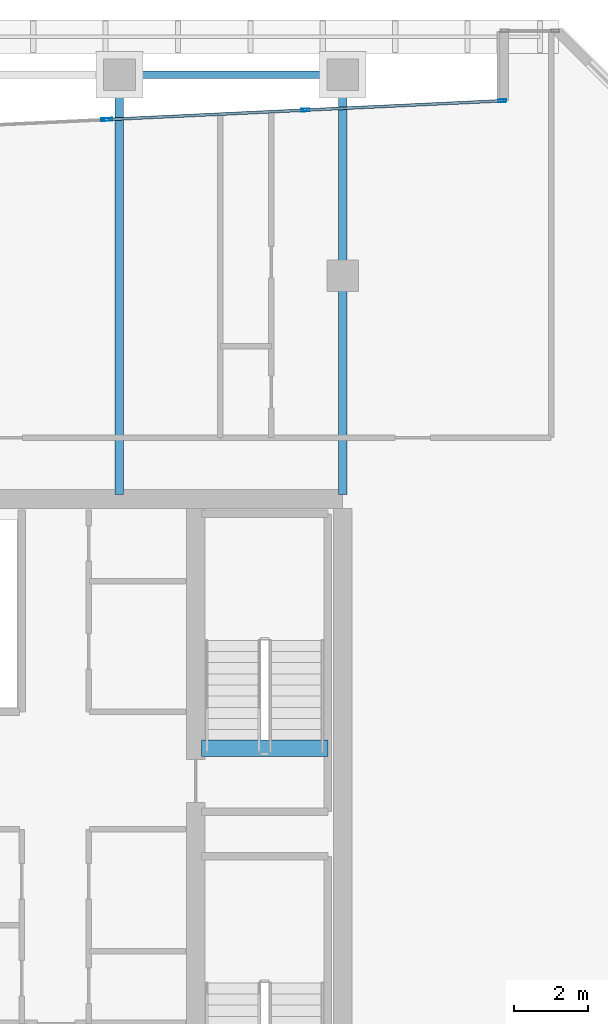
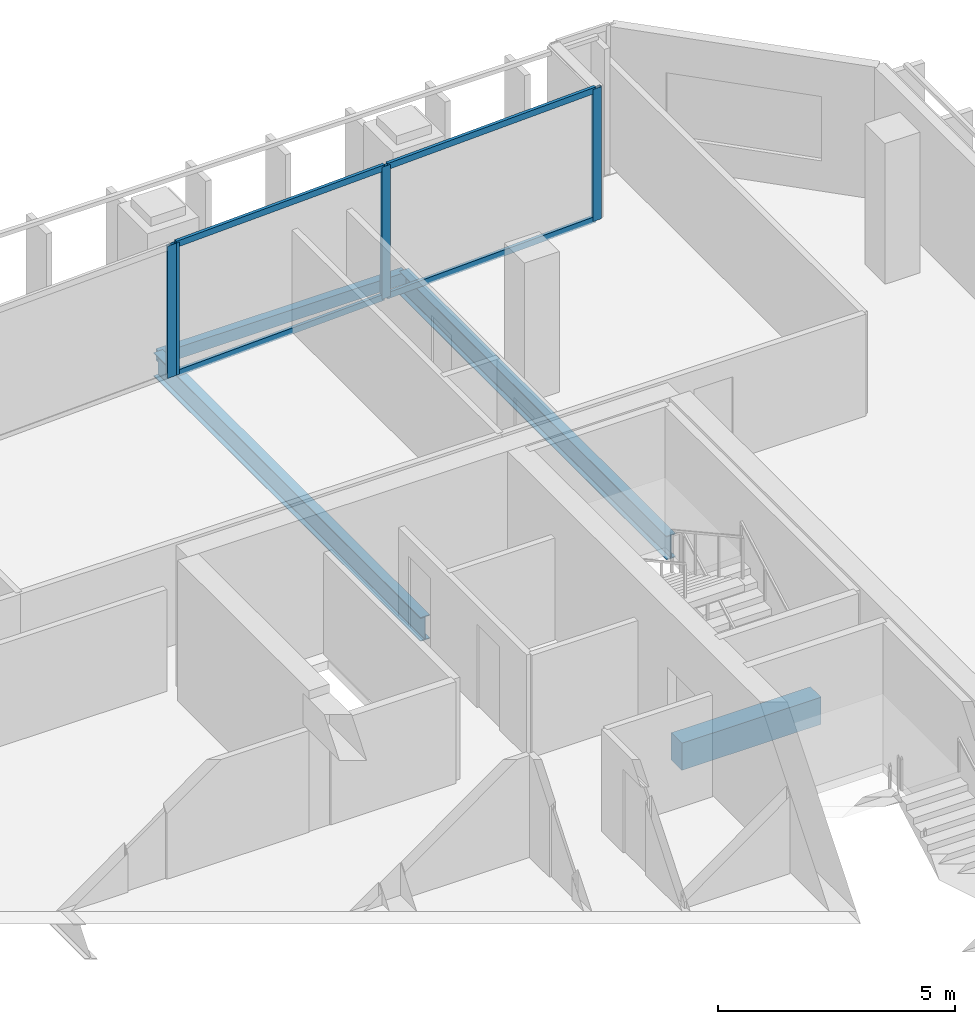
# One storey, part 16 of 29: 8 members, 4 beams, 2 elements without a shape of their own.
"""IFC4 building model written with IfcOpenShell, lengths in metres."""

from ifc_helpers import new_model, si_unit, direction, frame, origin, origin_2d, place, context, subcontext, project, spatial, rectangle, hollow_rectangle, i_section, extrude, material, layer, layer_set, material_profile, profile_set, type_object, element, aggregate, save


model = new_model("IFC4")

# Units and contexts
model_context = context("Model", 3, precision=1e-05, world=origin(), true_north=direction((0.0, 1.0)))
body_context = subcontext(model_context, "Body", "Model", "MODEL_VIEW")
ifc_project = project(units=[si_unit("LENGTHUNIT", "METRE"), si_unit("AREAUNIT", "SQUARE_METRE"), si_unit("VOLUMEUNIT", "CUBIC_METRE"), si_unit("PLANEANGLEUNIT", "RADIAN"), si_unit("MASSUNIT", "GRAM", prefix="KILO")], contexts=[model_context])

# Site, building, storey
site_placement = place(None, origin())
site = spatial("IfcSite", under=ifc_project, at=site_placement, CompositionType="ELEMENT")
building_placement = place(site_placement, origin())
building = spatial("IfcBuilding", under=site, at=building_placement, Name="Tanjung Sevakor Pilgrim Tower", CompositionType="ELEMENT")
storey_placement = place(building_placement, frame((0.0, 0.0, 162.030029296875)))
storey = spatial("IfcBuildingStorey", under=building, at=storey_placement, Name="L45", CompositionType="ELEMENT", Elevation=162.030029296875)

# Beams
ifc_material_1 = material(Name="Steel S355J2", Category="steel")
ifc_material_profile_1 = material_profile(ifc_material_1, i_section(OverallWidth=0.22900390625, OverallDepth=0.6123046875, WebThickness=0.011962890625, FlangeThickness=0.01953125, FilletRadius=0.0126953125, at=origin_2d()))
ifc_profile_set_1 = profile_set([ifc_material_profile_1], Name="Steel S355J2")
beam_type_1 = type_object("IfcBeamType", Name="BM-B-G4-UB_610x229x125", PredefinedType="BEAM", material=ifc_profile_set_1)
for number, where, z_axis, x_axis, name in (
    (1, (84.0, 42.715087890625, -0.526123046875), (0.0, 1.0, 0.0), (-1.0, 0.0, 0.0), "L45 MAIN Girder 026"),
    (2, (90.0, 42.715087890625, -0.526123046875), (0.0, 1.0, 0.0), (-1.0, 0.0, 0.0), "L45 MAIN Girder 028"),
):
    element("IfcBeam", number, at=place(storey_placement, frame(where, z_axis=z_axis, x_axis=x_axis)), inside=storey, type_object=beam_type_1, Name=name, PredefinedType="BEAM", context=body_context, shape_type="SweptSolid", body=[
        extrude(i_section(OverallWidth=0.22900390625, OverallDepth=0.6123046875, WebThickness=0.011962890625, FlangeThickness=0.01953125, FilletRadius=0.0126953125, at=origin_2d()), origin(), (0.0, 0.0, 1.0), 11.284912109375),
    ])
ifc_material_2 = material(Name="Concrete C60/75", Category="concrete")
ifc_material_profile_2 = material_profile(ifc_material_2, rectangle(XDim=0.449951171875, YDim=0.699951171875, at=origin_2d()))
ifc_profile_set_2 = profile_set([ifc_material_profile_2], Name="Concrete C60/75")
beam_type_2 = type_object("IfcBeamType", Name="BM-B-LN3-RC-BM_450x700", PredefinedType="LINTEL", material=ifc_profile_set_2)
beam_1_placement = place(storey_placement, frame((86.199951171875, 35.89990234375, -0.35009765625), z_axis=(1.0, 0.0, 0.0), x_axis=(0.0, 1.0, 0.0)))
element("IfcBeam", 3, at=beam_1_placement, inside=storey, type_object=beam_type_2, Name="L45 TS-E2 Stair Threshold Beam", PredefinedType="LINTEL", context=body_context, shape_type="SweptSolid", body=[
    extrude(rectangle(XDim=0.449951171875, YDim=0.699951171875, at=origin_2d()), origin(), (0.0, 0.0, 1.0), 3.400146484375),
])
ifc_material_3 = material(Name="Steel S355J2", Category="steel")
ifc_material_profile_3 = material_profile(ifc_material_3, hollow_rectangle(XDim=0.199951171875, YDim=0.300048828125, WallThickness=0.012451171875, at=origin_2d()))
ifc_profile_set_3 = profile_set([ifc_material_profile_3], Name="Steel S355J2")
beam_type_3 = type_object("IfcBeamType", Name="BM-B-SP3-RHS_300x200x12.5", PredefinedType="SPANDREL", material=ifc_profile_set_3)
beam_2_placement = place(storey_placement, frame((84.0, 54.0, -0.3701171875), z_axis=(1.0, 0.0, 0.0), x_axis=(0.0, 1.0, 0.0)))
element("IfcBeam", 4, at=beam_2_placement, inside=storey, type_object=beam_type_3, Name="L45 Spandrel MAIN N-18", PredefinedType="SPANDREL", context=body_context, shape_type="SweptSolid", body=[
    extrude(hollow_rectangle(XDim=0.199951171875, YDim=0.300048828125, WallThickness=0.012451171875, at=origin_2d()), origin(), (0.0, 0.0, 1.0), 6.0),
])

# Curtain wall, members
ifc_material_4 = material(Name="Aluminium 6063-T6 and Low-E Glass", Category="aluminium")
ifc_layer = layer(ifc_material_4, 0.199951171875)
ifc_layer_set = layer_set([ifc_layer], Name="CW-SYS-PRAY")
curtain_wall_type = type_object("IfcCurtainWallType", Name="CW-SYS-PRAY", PredefinedType="NOTDEFINED", material=ifc_layer_set)
curtain_wall_1_placement = place(storey_placement, origin())
curtain_wall_1 = element("IfcCurtainWall", 5, at=curtain_wall_1_placement, inside=storey, type_object=curtain_wall_type, Name="L45 Curtain Wall CW-PRY-L45-20", PredefinedType="NOTDEFINED")
ifc_material_5 = material(Name="Aluminium 6063-T6", Category="aluminium")
ifc_material_profile_4 = material_profile(ifc_material_5, hollow_rectangle(XDim=0.074951171875, YDim=0.219970703125, WallThickness=0.0048828125, at=origin_2d()))
ifc_profile_set_4 = profile_set([ifc_material_profile_4], Name="Aluminium 6063-T6")
member_type_1 = type_object("IfcMemberType", Name="TYPE-CWM-2", PredefinedType="MULLION", material=ifc_profile_set_4)
member_1_placement = place(storey_placement, frame((94.28759765625, 53.299072265625, 0.0), z_axis=(0.0, 0.0, 1.0), x_axis=(0.047345408374, -0.998878577359, 0.0)))
member_1 = element("IfcMember", 6, at=member_1_placement, type_object=member_type_1, Name="CW-PRY mullion 1", PredefinedType="MULLION", context=body_context, shape_type="SweptSolid", body=[
    extrude(hollow_rectangle(XDim=0.074951171875, YDim=0.219970703125, WallThickness=0.0048828125, at=origin_2d()), origin(), (0.0, 0.0, 1.0), 3.409912109375),
])
member_2_placement = place(storey_placement, frame((88.990478515625, 53.0478515625, 0.0), z_axis=(0.0, 0.0, 1.0), x_axis=(0.047345408374, -0.998878577359, 0.0)))
member_2 = element("IfcMember", 7, at=member_2_placement, type_object=member_type_1, Name="CW-PRY mullion 2", PredefinedType="MULLION", context=body_context, shape_type="SweptSolid", body=[
    extrude(hollow_rectangle(XDim=0.074951171875, YDim=0.219970703125, WallThickness=0.0048828125, at=origin_2d()), origin(), (0.0, 0.0, 1.0), 3.409912109375),
])
member_3_placement = place(storey_placement, frame((83.693359375, 52.796875, 0.0), z_axis=(0.0, 0.0, 1.0), x_axis=(0.047345408374, -0.998878577359, 0.0)))
member_3 = element("IfcMember", 8, at=member_3_placement, type_object=member_type_1, Name="CW-PRY mullion 3", PredefinedType="MULLION", context=body_context, shape_type="SweptSolid", body=[
    extrude(hollow_rectangle(XDim=0.074951171875, YDim=0.219970703125, WallThickness=0.0048828125, at=origin_2d()), origin(), (0.0, 0.0, 1.0), 3.409912109375),
])

# Curtain wall, member
curtain_wall_2_placement = place(storey_placement, origin())
curtain_wall_2 = element("IfcCurtainWall", 9, at=curtain_wall_2_placement, inside=storey, type_object=curtain_wall_type, Name="L45 Curtain Wall CW-PRY-L45-21", PredefinedType="NOTDEFINED")
member_4_placement = place(storey_placement, frame((83.618408203125, 52.793212890625, 0.0), z_axis=(0.0, 0.0, 1.0), x_axis=(0.04733271113, -0.998879179109, 0.0)))
member_4 = element("IfcMember", 10, at=member_4_placement, type_object=member_type_1, Name="CW-PRY mullion 1", PredefinedType="MULLION", context=body_context, shape_type="SweptSolid", body=[
    extrude(hollow_rectangle(XDim=0.074951171875, YDim=0.219970703125, WallThickness=0.0048828125, at=origin_2d()), origin(), (0.0, 0.0, 1.0), 3.409912109375),
])
aggregate(curtain_wall_2, [member_4])

# Member
ifc_material_6 = material(Name="Aluminium 6063-T6", Category="aluminium")
ifc_material_profile_5 = material_profile(ifc_material_6, hollow_rectangle(XDim=0.074951171875, YDim=0.159912109375, WallThickness=0.00439453125, at=origin_2d()))
ifc_profile_set_5 = profile_set([ifc_material_profile_5], Name="Aluminium 6063-T6")
member_type_2 = type_object("IfcMemberType", Name="TYPE-CWT-2", PredefinedType="USERDEFINED", material=ifc_profile_set_5)
member_5_placement = place(storey_placement, frame((94.25, 53.29736328125, 0.037353515625), z_axis=(-0.998878257649, -0.047352153027, 0.0), x_axis=(0.047352153027, -0.998878257649, 0.0)))
member_5 = element("IfcMember", 11, at=member_5_placement, type_object=member_type_2, Name="CW-PRY transom 1.1", ObjectType="TRANSOM", PredefinedType="USERDEFINED", context=body_context, shape_type="SweptSolid", body=[
    extrude(hollow_rectangle(XDim=0.074951171875, YDim=0.159912109375, WallThickness=0.00439453125, at=origin_2d()), origin(), (0.0, 0.0, 1.0), 5.22802734375),
])

member_6_placement = place(storey_placement, frame((94.25, 53.29736328125, 3.37255859375), z_axis=(-0.998878257649, -0.047352153027, 0.0), x_axis=(0.047352153027, -0.998878257649, 0.0)))
member_6 = element("IfcMember", 12, at=member_6_placement, type_object=member_type_2, Name="CW-PRY transom 1.2", ObjectType="TRANSOM", PredefinedType="USERDEFINED", context=body_context, shape_type="SweptSolid", body=[
    extrude(hollow_rectangle(XDim=0.074951171875, YDim=0.159912109375, WallThickness=0.00439453125, at=origin_2d()), origin(), (0.0, 0.0, 1.0), 5.22802734375),
])

member_7_placement = place(storey_placement, frame((88.952880859375, 53.046142578125, 0.037353515625), z_axis=(-0.998878257649, -0.047352153027, 0.0), x_axis=(0.047352153027, -0.998878257649, 0.0)))
member_7 = element("IfcMember", 13, at=member_7_placement, type_object=member_type_2, Name="CW-PRY transom 2.1", ObjectType="TRANSOM", PredefinedType="USERDEFINED", context=body_context, shape_type="SweptSolid", body=[
    extrude(hollow_rectangle(XDim=0.074951171875, YDim=0.159912109375, WallThickness=0.00439453125, at=origin_2d()), origin(), (0.0, 0.0, 1.0), 5.22802734375),
])

member_8_placement = place(storey_placement, frame((88.952880859375, 53.046142578125, 3.37255859375), z_axis=(-0.998878257649, -0.047352153027, 0.0), x_axis=(0.047352153027, -0.998878257649, 0.0)))
member_8 = element("IfcMember", 14, at=member_8_placement, type_object=member_type_2, Name="CW-PRY transom 2.2", ObjectType="TRANSOM", PredefinedType="USERDEFINED", context=body_context, shape_type="SweptSolid", body=[
    extrude(hollow_rectangle(XDim=0.074951171875, YDim=0.159912109375, WallThickness=0.00439453125, at=origin_2d()), origin(), (0.0, 0.0, 1.0), 5.22802734375),
])

aggregate(curtain_wall_1, [member_1, member_2, member_3, member_5, member_6, member_7, member_8])

save(model, "model.ifc")
